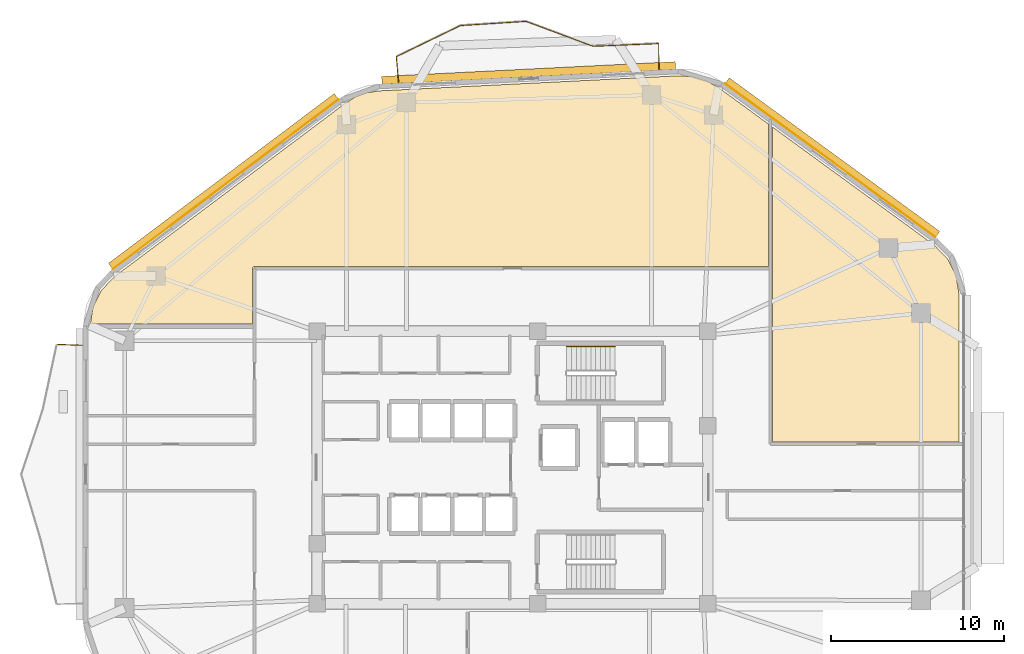
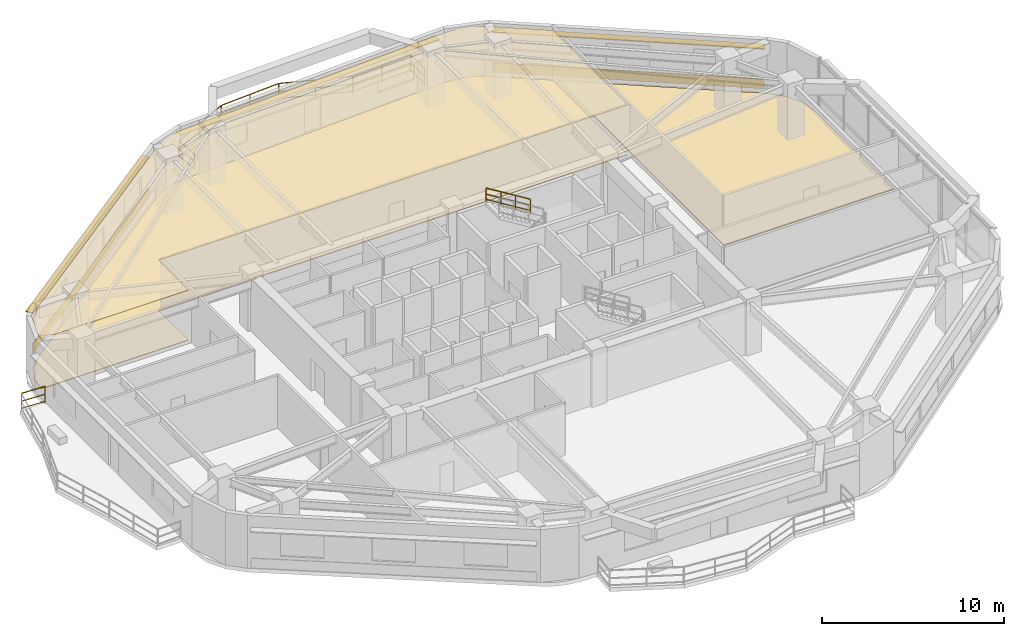
# One storey, part 15 of 15: 8 railings, 5 coverings, 3 shading devices.
"""IFC4 building model written with IfcOpenShell, lengths in metres."""

from ifc_helpers import new_model, si_unit, direction, frame, origin, origin_2d, place, context, subcontext, project, spatial, polyline, rectangle, outline, extrude, material, layer, layer_set, type_object, element, save


model = new_model("IFC4")

# Units and contexts
model_context = context("Model", 3, precision=1e-05, world=origin(), true_north=direction((0.0, 1.0)))
body_context = subcontext(model_context, "Body", "Model", "MODEL_VIEW")
ifc_project = project(units=[si_unit("LENGTHUNIT", "METRE"), si_unit("AREAUNIT", "SQUARE_METRE"), si_unit("VOLUMEUNIT", "CUBIC_METRE"), si_unit("PLANEANGLEUNIT", "RADIAN"), si_unit("MASSUNIT", "GRAM", prefix="KILO")], contexts=[model_context])

# Site, building, storey
site_placement = place(None, origin())
site = spatial("IfcSite", under=ifc_project, at=site_placement, CompositionType="ELEMENT")
building_placement = place(site_placement, origin())
building = spatial("IfcBuilding", under=site, at=building_placement, Name="Zulverin Broadcast Headquarters", CompositionType="ELEMENT")
storey_placement = place(building_placement, frame((0.0, 0.0, 132.60009765625)))
storey = spatial("IfcBuildingStorey", under=building, at=storey_placement, Name="L33", CompositionType="ELEMENT", Elevation=132.60009765625)

# Coverings
ifc_material_1 = material(Name="Perforated pale-metal acoustic baffle ceiling", Category="aluminium")
ifc_layer_1 = layer(ifc_material_1, 0.0400390625, Name="Perforated pale-metal acoustic baffle ceiling", Category="aluminium")
ifc_layer_set_1 = layer_set([ifc_layer_1], Name="Perforated pale-metal acoustic baffle ceiling")
covering_type_1 = type_object("IfcCoveringType", Name="COV-CEIL-ACOU", PredefinedType="CEILING", material=ifc_layer_set_1)
covering_1_placement = place(storey_placement, frame((0.0, 0.0, 3.35986328125)))
element("IfcCovering", 1, at=covering_1_placement, inside=storey, type_object=covering_type_1, Name="L33 Acoustic Baffle Ceiling 01", PredefinedType="CEILING", context=body_context, shape_type="SweptSolid", body=[
    extrude(outline(polyline([(14.02001953125, 36.23193359375), (13.251953125, 35.43994140625), (12.77197265625, 34.47998046875), (12.615966796875, 33.5), (21.97998046875, 33.5), (21.97998046875, 36.699951171875), (21.97998046875, 36.7119140625), (21.98388671875, 36.72412109375), (21.98388671875, 36.736083984375), (21.988037109375, 36.743896484375), (21.99609375, 36.756103515625), (22.0, 36.76806640625), (22.008056640625, 36.77587890625), (22.01611328125, 36.783935546875), (22.02392578125, 36.7919921875), (22.031982421875, 36.800048828125), (22.0439453125, 36.803955078125), (22.055908203125, 36.81201171875), (22.06396484375, 36.81591796875), (22.075927734375, 36.81591796875), (22.087890625, 36.820068359375), (22.10009765625, 36.820068359375), (51.780029296875, 36.820068359375), (51.780029296875, 45.052001953125), (48.904052734375, 47.152099609375), (48.19189453125, 47.552001953125), (47.43603515625, 47.77587890625), (46.6240234375, 47.83203125), (29.303955078125, 46.9599609375), (28.60009765625, 46.85595703125), (27.951904296875, 46.6201171875), (27.343994140625, 46.248046875), (14.02001953125, 36.23193359375)])), origin(), (0.0, 0.0, 1.0), 0.0400390625),
])
ifc_material_2 = material(Name="Brushed pale-aluminium rainscreen cladding", Category="aluminium")
ifc_layer_2 = layer(ifc_material_2, 0.0400390625, Name="Brushed pale-aluminium rainscreen cladding", Category="aluminium")
ifc_layer_set_2 = layer_set([ifc_layer_2], Name="Brushed pale-aluminium rainscreen cladding")
covering_type_2 = type_object("IfcCoveringType", Name="COV-CLAD-PALE", PredefinedType="CLADDING", material=ifc_layer_set_2)
covering_2_placement = place(storey_placement, frame((55.364990234375, 42.94140625, 0.054931640625), z_axis=(0.0, 0.0, 1.0), x_axis=(-0.807814001495, 0.589437476742, 0.0)))
element("IfcCovering", 2, at=covering_2_placement, inside=storey, type_object=covering_type_2, Name="L33 Brushed Pale-Aluminium Spandrel Cladding 4", PredefinedType="CLADDING", context=body_context, shape_type="SweptSolid", body=[
    extrude(rectangle(XDim=15.048583984375, YDim=0.0400390625, at=origin_2d()), origin(), (0.0, 0.0, 1.0), 0.64990234375),
])
covering_3_placement = place(storey_placement, frame((20.4306640625, 41.56689453125, 0.054931640625), z_axis=(0.0, 0.0, 1.0), x_axis=(-0.799275780179, -0.60096441427, 0.0)))
element("IfcCovering", 3, at=covering_3_placement, inside=storey, type_object=covering_type_2, Name="L33 Brushed Pale-Aluminium Spandrel Cladding 6", PredefinedType="CLADDING", context=body_context, shape_type="SweptSolid", body=[
    extrude(rectangle(XDim=16.316162109375, YDim=0.0400390625, at=origin_2d()), origin(), (0.0, 0.0, 1.0), 0.64990234375),
])
ifc_material_3 = material(Name="Anti-static broadcast raised access flooring", Category="stone")
ifc_layer_3 = layer(ifc_material_3, 0.050048828125, Name="Anti-static broadcast raised access flooring", Category="stone")
ifc_layer_set_3 = layer_set([ifc_layer_3], Name="Anti-static broadcast raised access flooring")
covering_type_3 = type_object("IfcCoveringType", Name="COV-FLR-RAISED", PredefinedType="FLOORING", material=ifc_layer_set_3)
covering_4_placement = place(storey_placement, origin())
element("IfcCovering", 4, at=covering_4_placement, inside=storey, type_object=covering_type_3, Name="L33 Broadcast Raised Access Flooring 01", PredefinedType="FLOORING", context=body_context, shape_type="SweptSolid", body=[
    extrude(outline(polyline([(14.02001953125, 36.23193359375), (13.251953125, 35.43994140625), (12.77197265625, 34.47998046875), (12.615966796875, 33.5), (21.97998046875, 33.5), (21.97998046875, 36.699951171875), (21.97998046875, 36.7119140625), (21.98388671875, 36.72412109375), (21.98388671875, 36.736083984375), (21.988037109375, 36.743896484375), (21.99609375, 36.756103515625), (22.0, 36.76806640625), (22.008056640625, 36.77587890625), (22.01611328125, 36.783935546875), (22.02392578125, 36.7919921875), (22.031982421875, 36.800048828125), (22.0439453125, 36.803955078125), (22.055908203125, 36.81201171875), (22.06396484375, 36.81591796875), (22.075927734375, 36.81591796875), (22.087890625, 36.820068359375), (22.10009765625, 36.820068359375), (51.780029296875, 36.820068359375), (51.780029296875, 45.052001953125), (48.904052734375, 47.152099609375), (48.19189453125, 47.552001953125), (47.43603515625, 47.77587890625), (46.6240234375, 47.83203125), (29.303955078125, 46.9599609375), (28.60009765625, 46.85595703125), (27.951904296875, 46.6201171875), (27.343994140625, 46.248046875), (14.02001953125, 36.23193359375)])), origin(), (0.0, 0.0, 1.0), 0.0498046875),
])
covering_5_placement = place(storey_placement, origin())
element("IfcCovering", 5, at=covering_5_placement, inside=storey, type_object=covering_type_3, Name="L33 Broadcast Raised Access Flooring 02", PredefinedType="FLOORING", context=body_context, shape_type="SweptSolid", body=[
    extrude(outline(polyline([(52.02001953125, 26.672119140625), (62.800048828125, 26.672119140625), (62.800048828125, 35.199951171875), (62.6240234375, 36.30810546875), (62.1279296875, 37.280029296875), (61.3359375, 38.075927734375), (52.02001953125, 44.8759765625), (52.02001953125, 26.672119140625)])), origin(), (0.0, 0.0, 1.0), 0.0498046875),
])

# Railings
ifc_material_4 = material(Name="Brushed stainless steel & laminated glass balustrade", Category="steel")
railing_type_1 = type_object("IfcRailingType", Name="RL-GUARD-1150", PredefinedType="GUARDRAIL", material=ifc_material_4)
railing_1_placement = place(storey_placement, frame((45.464599609375, 48.212646484375, 0.0)))
element("IfcRailing", 6, at=railing_1_placement, inside=storey, type_object=railing_type_1, Name="L33 Vertical-Forest Balcony Guardrail BAL_N Segment 01", PredefinedType="GUARDRAIL", context=body_context, shape_type="SweptSolid", body=[
    extrude(rectangle(XDim=0.048095703125, YDim=0.048095703125, at=origin_2d()), frame((0.0, 0.0, 1.1259765625), z_axis=(-0.009658167329, 0.999953358814, 0.0), x_axis=(-0.999953358814, -0.009658167329, 0.0)), (0.0, 0.0, 1.0), 1.466064453125),
    extrude(rectangle(XDim=0.0419921875, YDim=0.0419921875, at=origin_2d()), frame((0.0, 0.0, 0.597900390625), z_axis=(-0.009658167329, 0.999953358814, 0.0), x_axis=(-0.999953358814, -0.009658167329, 0.0)), (0.0, 0.0, 1.0), 1.466064453125),
    extrude(rectangle(XDim=0.0419921875, YDim=0.0419921875, at=origin_2d()), frame((0.0, 0.0, 0.1201171875), z_axis=(-0.009658167329, 0.999953358814, 0.0), x_axis=(-0.999953358814, -0.009658167329, 0.0)), (0.0, 0.0, 1.0), 1.466064453125),
    extrude(rectangle(XDim=0.0419921875, YDim=0.0419921875, at=origin_2d()), origin(), (0.0, 0.0, 1.0), 1.101806640625),
    extrude(rectangle(XDim=0.0419921875, YDim=0.0419921875, at=origin_2d()), frame((-0.01416015625, 1.466064453125, 0.0)), (0.0, 0.0, 1.0), 1.101806640625),
])
railing_2_placement = place(storey_placement, frame((45.435302734375, 49.693115234375, 0.0)))
element("IfcRailing", 7, at=railing_2_placement, inside=storey, type_object=railing_type_1, Name="L33 Vertical-Forest Balcony Guardrail BAL_N Segment 02", PredefinedType="GUARDRAIL", context=body_context, shape_type="SweptSolid", body=[
    extrude(rectangle(XDim=0.048095703125, YDim=0.048095703125, at=origin_2d()), frame((0.0, 0.0, 1.1259765625), z_axis=(-0.999138682454, -0.041495701283, 0.0), x_axis=(0.041495701283, -0.999138682454, 0.0)), (0.0, 0.0, 1.0), 3.765380859375),
    extrude(rectangle(XDim=0.0419921875, YDim=0.0419921875, at=origin_2d()), frame((0.0, 0.0, 0.597900390625), z_axis=(-0.999138682454, -0.041495701283, 0.0), x_axis=(0.041495701283, -0.999138682454, 0.0)), (0.0, 0.0, 1.0), 3.765380859375),
    extrude(rectangle(XDim=0.0419921875, YDim=0.0419921875, at=origin_2d()), frame((0.0, 0.0, 0.1201171875), z_axis=(-0.999138682454, -0.041495701283, 0.0), x_axis=(0.041495701283, -0.999138682454, 0.0)), (0.0, 0.0, 1.0), 3.765380859375),
    extrude(rectangle(XDim=0.0419921875, YDim=0.0419921875, at=origin_2d()), origin(), (0.0, 0.0, 1.0), 1.101806640625),
    extrude(rectangle(XDim=0.0419921875, YDim=0.0419921875, at=origin_2d()), frame((-1.881103515625, -0.078125, 0.0)), (0.0, 0.0, 1.0), 1.101806640625),
    extrude(rectangle(XDim=0.0419921875, YDim=0.0419921875, at=origin_2d()), frame((-3.76220703125, -0.15625, 0.0)), (0.0, 0.0, 1.0), 1.101806640625),
])
railing_3_placement = place(storey_placement, frame((41.643798828125, 49.54150390625, 0.0)))
element("IfcRailing", 8, at=railing_3_placement, inside=storey, type_object=railing_type_1, Name="L33 Vertical-Forest Balcony Guardrail BAL_N Segment 03", PredefinedType="GUARDRAIL", context=body_context, shape_type="SweptSolid", body=[
    extrude(rectangle(XDim=0.048095703125, YDim=0.048095703125, at=origin_2d()), frame((0.0, 0.0, 1.1259765625), z_axis=(-0.93740861427, 0.348231374078, 0.0), x_axis=(-0.348231374078, -0.93740861427, 0.0)), (0.0, 0.0, 1.0), 4.1005859375),
    extrude(rectangle(XDim=0.0419921875, YDim=0.0419921875, at=origin_2d()), frame((0.0, 0.0, 0.597900390625), z_axis=(-0.93740861427, 0.348231374078, 0.0), x_axis=(-0.348231374078, -0.93740861427, 0.0)), (0.0, 0.0, 1.0), 4.1005859375),
    extrude(rectangle(XDim=0.0419921875, YDim=0.0419921875, at=origin_2d()), frame((0.0, 0.0, 0.1201171875), z_axis=(-0.93740861427, 0.348231374078, 0.0), x_axis=(-0.348231374078, -0.93740861427, 0.0)), (0.0, 0.0, 1.0), 4.1005859375),
    extrude(rectangle(XDim=0.0419921875, YDim=0.0419921875, at=origin_2d()), origin(), (0.0, 0.0, 1.0), 1.101806640625),
    extrude(rectangle(XDim=0.0419921875, YDim=0.0419921875, at=origin_2d()), frame((-1.921875, 0.7138671875, 0.0)), (0.0, 0.0, 1.0), 1.101806640625),
    extrude(rectangle(XDim=0.0419921875, YDim=0.0419921875, at=origin_2d()), frame((-3.843994140625, 1.427978515625, 0.0)), (0.0, 0.0, 1.0), 1.101806640625),
])
railing_4_placement = place(storey_placement, frame((37.770751953125, 50.9736328125, 0.0)))
element("IfcRailing", 9, at=railing_4_placement, inside=storey, type_object=railing_type_1, Name="L33 Vertical-Forest Balcony Guardrail BAL_N Segment 04", PredefinedType="GUARDRAIL", context=body_context, shape_type="SweptSolid", body=[
    extrude(rectangle(XDim=0.048095703125, YDim=0.048095703125, at=origin_2d()), frame((0.0, 0.0, 1.1259765625), z_axis=(-0.997979504775, -0.063536666971, 0.0), x_axis=(0.063536666971, -0.997979504775, 0.0)), (0.0, 0.0, 1.0), 3.765625),
    extrude(rectangle(XDim=0.0419921875, YDim=0.0419921875, at=origin_2d()), frame((0.0, 0.0, 0.597900390625), z_axis=(-0.997979504775, -0.063536666971, 0.0), x_axis=(0.063536666971, -0.997979504775, 0.0)), (0.0, 0.0, 1.0), 3.765625),
    extrude(rectangle(XDim=0.0419921875, YDim=0.0419921875, at=origin_2d()), frame((0.0, 0.0, 0.1201171875), z_axis=(-0.997979504775, -0.063536666971, 0.0), x_axis=(0.063536666971, -0.997979504775, 0.0)), (0.0, 0.0, 1.0), 3.765625),
    extrude(rectangle(XDim=0.0419921875, YDim=0.0419921875, at=origin_2d()), origin(), (0.0, 0.0, 1.0), 1.101806640625),
    extrude(rectangle(XDim=0.0419921875, YDim=0.0419921875, at=origin_2d()), frame((-1.87890625, -0.11962890625, 0.0)), (0.0, 0.0, 1.0), 1.101806640625),
    extrude(rectangle(XDim=0.0419921875, YDim=0.0419921875, at=origin_2d()), frame((-3.758056640625, -0.2392578125, 0.0)), (0.0, 0.0, 1.0), 1.101806640625),
])
railing_5_placement = place(storey_placement, frame((33.984130859375, 50.726806640625, 0.0)))
element("IfcRailing", 10, at=railing_5_placement, inside=storey, type_object=railing_type_1, Name="L33 Vertical-Forest Balcony Guardrail BAL_N Segment 05", PredefinedType="GUARDRAIL", context=body_context, shape_type="SweptSolid", body=[
    extrude(rectangle(XDim=0.048095703125, YDim=0.048095703125, at=origin_2d()), frame((0.0, 0.0, 1.1259765625), z_axis=(-0.899672164744, -0.436566141593, 0.0), x_axis=(0.436566141593, -0.899672164744, 0.0)), (0.0, 0.0, 1.0), 4.093505859375),
    extrude(rectangle(XDim=0.0419921875, YDim=0.0419921875, at=origin_2d()), frame((0.0, 0.0, 0.597900390625), z_axis=(-0.899672164744, -0.436566141593, 0.0), x_axis=(0.436566141593, -0.899672164744, 0.0)), (0.0, 0.0, 1.0), 4.093505859375),
    extrude(rectangle(XDim=0.0419921875, YDim=0.0419921875, at=origin_2d()), frame((0.0, 0.0, 0.1201171875), z_axis=(-0.899672164744, -0.436566141593, 0.0), x_axis=(0.436566141593, -0.899672164744, 0.0)), (0.0, 0.0, 1.0), 4.093505859375),
    extrude(rectangle(XDim=0.0419921875, YDim=0.0419921875, at=origin_2d()), origin(), (0.0, 0.0, 1.0), 1.101806640625),
    extrude(rectangle(XDim=0.0419921875, YDim=0.0419921875, at=origin_2d()), frame((-1.84130859375, -0.8935546875, 0.0)), (0.0, 0.0, 1.0), 1.101806640625),
    extrude(rectangle(XDim=0.0419921875, YDim=0.0419921875, at=origin_2d()), frame((-3.682861328125, -1.787109375, 0.0)), (0.0, 0.0, 1.0), 1.101806640625),
])
railing_6_placement = place(storey_placement, frame((30.289306640625, 48.918212890625, 0.0)))
element("IfcRailing", 11, at=railing_6_placement, inside=storey, type_object=railing_type_1, Name="L33 Vertical-Forest Balcony Guardrail BAL_N Segment 06", PredefinedType="GUARDRAIL", context=body_context, shape_type="SweptSolid", body=[
    extrude(rectangle(XDim=0.048095703125, YDim=0.048095703125, at=origin_2d()), frame((0.0, 0.0, 1.1259765625), z_axis=(0.090415638869, -0.995904117999, 0.0), x_axis=(0.995904117999, 0.090415638869, 0.0)), (0.0, 0.0, 1.0), 1.46630859375),
    extrude(rectangle(XDim=0.0419921875, YDim=0.0419921875, at=origin_2d()), frame((0.0, 0.0, 0.597900390625), z_axis=(0.090415638869, -0.995904117999, 0.0), x_axis=(0.995904117999, 0.090415638869, 0.0)), (0.0, 0.0, 1.0), 1.46630859375),
    extrude(rectangle(XDim=0.0419921875, YDim=0.0419921875, at=origin_2d()), frame((0.0, 0.0, 0.1201171875), z_axis=(0.090415638869, -0.995904117999, 0.0), x_axis=(0.995904117999, 0.090415638869, 0.0)), (0.0, 0.0, 1.0), 1.46630859375),
    extrude(rectangle(XDim=0.0419921875, YDim=0.0419921875, at=origin_2d()), origin(), (0.0, 0.0, 1.0), 1.101806640625),
    extrude(rectangle(XDim=0.0419921875, YDim=0.0419921875, at=origin_2d()), frame((0.132568359375, -1.460205078125, 0.0)), (0.0, 0.0, 1.0), 1.101806640625),
])
railing_7_placement = place(storey_placement, frame((12.159912109375, 32.2587890625, 0.0)))
element("IfcRailing", 12, at=railing_7_placement, inside=storey, type_object=railing_type_1, Name="L33 Vertical-Forest Balcony Guardrail BAL_W Segment 01", PredefinedType="GUARDRAIL", context=body_context, shape_type="SweptSolid", body=[
    extrude(rectangle(XDim=0.048095703125, YDim=0.048095703125, at=origin_2d()), frame((0.0, 0.0, 1.1259765625), z_axis=(-0.999174135318, 0.040633081503, 0.0), x_axis=(-0.040633081503, -0.999174135318, 0.0)), (0.0, 0.0, 1.0), 1.466064453125),
    extrude(rectangle(XDim=0.0419921875, YDim=0.0419921875, at=origin_2d()), frame((0.0, 0.0, 0.597900390625), z_axis=(-0.999174135318, 0.040633081503, 0.0), x_axis=(-0.040633081503, -0.999174135318, 0.0)), (0.0, 0.0, 1.0), 1.466064453125),
    extrude(rectangle(XDim=0.0419921875, YDim=0.0419921875, at=origin_2d()), frame((0.0, 0.0, 0.1201171875), z_axis=(-0.999174135318, 0.040633081503, 0.0), x_axis=(-0.040633081503, -0.999174135318, 0.0)), (0.0, 0.0, 1.0), 1.466064453125),
    extrude(rectangle(XDim=0.0419921875, YDim=0.0419921875, at=origin_2d()), origin(), (0.0, 0.0, 1.0), 1.101806640625),
    extrude(rectangle(XDim=0.0419921875, YDim=0.0419921875, at=origin_2d()), frame((-1.46484375, 0.0595703125, 0.0)), (0.0, 0.0, 1.0), 1.101806640625),
])
ifc_material_5 = material(Name="Brushed stainless steel 48 mm handrail", Category="steel")
railing_type_2 = type_object("IfcRailingType", Name="RL-ST-HAND", PredefinedType="HANDRAIL", material=ifc_material_5)
railing_8_placement = place(storey_placement, frame((42.929931640625, 32.199951171875, 2.072509765625)))
element("IfcRailing", 13, at=railing_8_placement, inside=storey, type_object=railing_type_2, Name="L33 ST-1 stair handrail 2", PredefinedType="HANDRAIL", context=body_context, shape_type="SweptSolid", body=[
    extrude(rectangle(XDim=0.048095703125, YDim=0.048095703125, at=origin_2d()), frame((0.0, 0.0, 0.8759765625), z_axis=(-0.851089632645, 0.0, 0.525020415988), x_axis=(0.0, -1.0, 0.0)), (0.0, 0.0, 1.0), 3.2900390625),
    extrude(rectangle(XDim=0.0419921875, YDim=0.0419921875, at=origin_2d()), frame((0.0, 0.0, 0.468017578125), z_axis=(-0.851089632645, 0.0, 0.525020415988), x_axis=(0.0, -1.0, 0.0)), (0.0, 0.0, 1.0), 3.2900390625),
    extrude(rectangle(XDim=0.0419921875, YDim=0.0419921875, at=origin_2d()), frame((0.0, 0.0, 0.1201171875), z_axis=(-0.851089632645, 0.0, 0.525020415988), x_axis=(0.0, -1.0, 0.0)), (0.0, 0.0, 1.0), 3.2900390625),
    extrude(rectangle(XDim=0.0419921875, YDim=0.0419921875, at=origin_2d()), origin(), (0.0, 0.0, 1.0), 0.851806640625),
    extrude(rectangle(XDim=0.0419921875, YDim=0.0419921875, at=origin_2d()), frame((-0.933349609375, 0.0, 0.57568359375)), (0.0, 0.0, 1.0), 0.851806640625),
    extrude(rectangle(XDim=0.0419921875, YDim=0.0419921875, at=origin_2d()), frame((-1.86669921875, 0.0, 1.151611328125)), (0.0, 0.0, 1.0), 0.851806640625),
    extrude(rectangle(XDim=0.0419921875, YDim=0.0419921875, at=origin_2d()), frame((-2.800048828125, 0.0, 1.727294921875)), (0.0, 0.0, 1.0), 0.851806640625),
])

# Shading devices
ifc_material_6 = material(Name="Anodized pale-metal aluminium sunshade", Category="aluminium")
ifc_layer_4 = layer(ifc_material_6, 0.06005859375, Name="Anodized pale-metal aluminium sunshade", Category="aluminium")
ifc_layer_set_4 = layer_set([ifc_layer_4], Name="Anodized pale-metal aluminium sunshade")
shading_device_type = type_object("IfcShadingDeviceType", Name="SS-01_PALE_METAL_ALUMINIUM_SUNSHADE", PredefinedType="USERDEFINED", material=ifc_layer_set_4)
shading_device_1_placement = place(storey_placement, frame((55.476806640625, 43.0947265625, 2.7099609375), z_axis=(0.0, 0.0, 1.0), x_axis=(-0.807814001495, 0.589437476742, 0.0)))
element("IfcShadingDevice", 14, at=shading_device_1_placement, inside=storey, type_object=shading_device_type, Name="L33 Horizontal Pale-Metal Sunshade Band 4", ObjectType="SUNSHADE", PredefinedType="USERDEFINED", context=body_context, shape_type="SweptSolid", body=[
    extrude(rectangle(XDim=15.048583984375, YDim=0.449951171875, at=origin_2d()), origin(), (0.0, 0.0, 1.0), 0.06005859375),
])
shading_device_2_placement = place(storey_placement, frame((37.935302734375, 47.9951171875, 2.7099609375), z_axis=(0.0, 0.0, 1.0), x_axis=(-0.998743962301, -0.050104867704, 0.0)))
element("IfcShadingDevice", 15, at=shading_device_2_placement, inside=storey, type_object=shading_device_type, Name="L33 Horizontal Pale-Metal Sunshade Band 5", ObjectType="SUNSHADE", PredefinedType="USERDEFINED", context=body_context, shape_type="SweptSolid", body=[
    extrude(rectangle(XDim=16.981689453125, YDim=0.449951171875, at=origin_2d()), origin(), (0.0, 0.0, 1.0), 0.06005859375),
])
shading_device_3_placement = place(storey_placement, frame((20.31640625, 41.718994140625, 2.7099609375), z_axis=(0.0, 0.0, 1.0), x_axis=(-0.799275780179, -0.60096441427, 0.0)))
element("IfcShadingDevice", 16, at=shading_device_3_placement, inside=storey, type_object=shading_device_type, Name="L33 Horizontal Pale-Metal Sunshade Band 6", ObjectType="SUNSHADE", PredefinedType="USERDEFINED", context=body_context, shape_type="SweptSolid", body=[
    extrude(rectangle(XDim=16.316162109375, YDim=0.449951171875, at=origin_2d()), origin(), (0.0, 0.0, 1.0), 0.06005859375),
])

save(model, "model.ifc")
